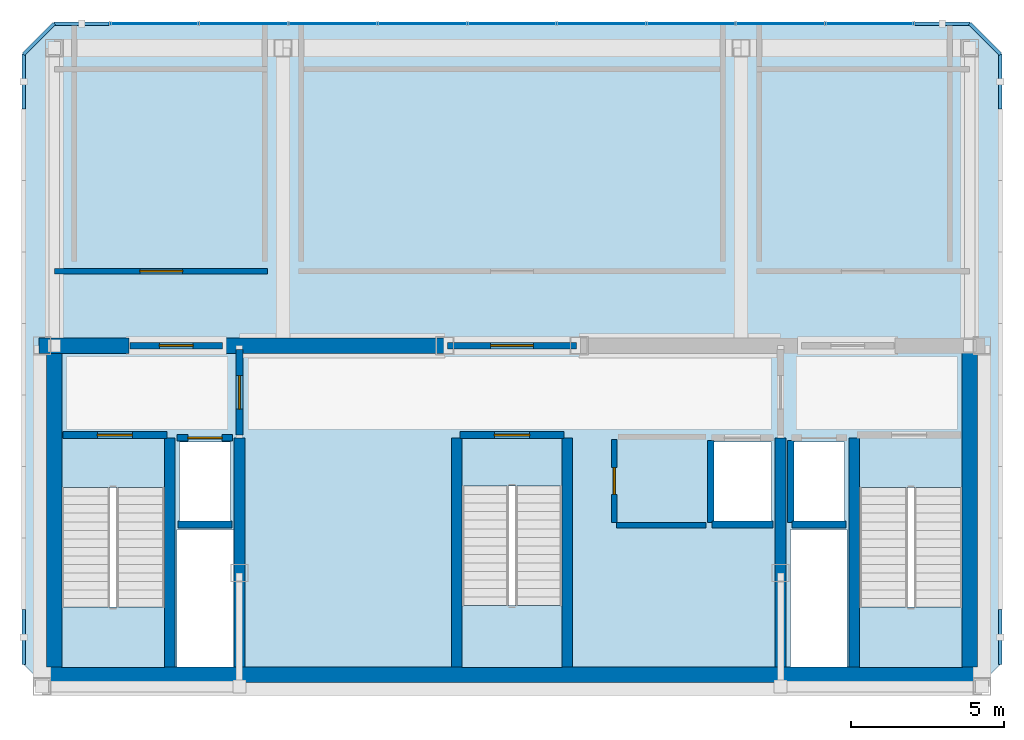
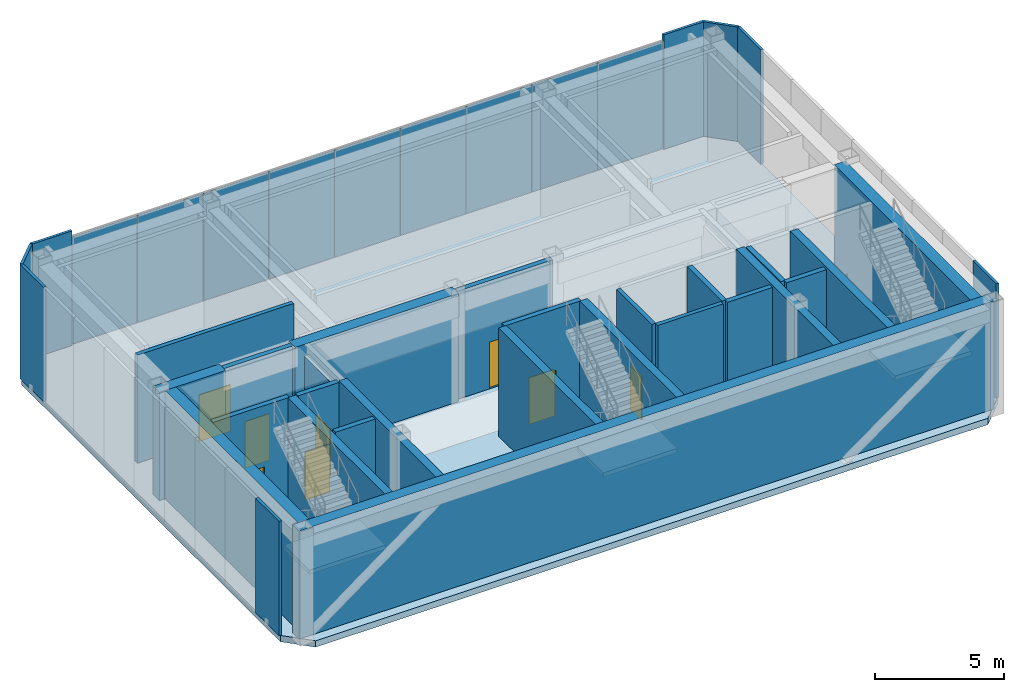
# One storey, part 7 of 9: 25 walls, 17 plates, 8 doors, 4 slabs, 8 openings, 4 elements without a shape of their own.
"""IFC4 building model written with IfcOpenShell, lengths in metres."""

from ifc_helpers import new_model, si_unit, direction, frame, frame_2d, origin, origin_2d, place, context, subcontext, project, spatial, polyline, rectangle, outline, extrude, material, layer, layer_set, type_object, element, fill, aggregate, save


model = new_model("IFC4")

# Units and contexts
model_context = context("Model", 3, precision=1e-05, world=origin(), true_north=direction((0.0, 1.0)))
body_context = subcontext(model_context, "Body", "Model", "MODEL_VIEW")
ifc_project = project(units=[si_unit("LENGTHUNIT", "METRE"), si_unit("AREAUNIT", "SQUARE_METRE"), si_unit("VOLUMEUNIT", "CUBIC_METRE"), si_unit("PLANEANGLEUNIT", "RADIAN"), si_unit("MASSUNIT", "GRAM", prefix="KILO")], contexts=[model_context])

# Site, building, storey
site_placement = place(None, origin())
site = spatial("IfcSite", under=ifc_project, at=site_placement, CompositionType="ELEMENT")
building_placement = place(site_placement, origin())
building = spatial("IfcBuilding", under=site, at=building_placement, Name="Ventersveld Concourse Tower", CompositionType="ELEMENT")
storey_placement = place(building_placement, frame((0.0, 0.0, 372.050048828125)))
storey = spatial("IfcBuildingStorey", under=building, at=storey_placement, Name="L91", CompositionType="ELEMENT", Elevation=372.050048828125)

# Curtain wall, plates
ifc_material_1 = material(Name="Anodised aluminium EN AW-6063-T6", Category="aluminium")
curtain_wall_type = type_object("IfcCurtainWallType", Name="CW-CRN-6", PredefinedType="NOTDEFINED", material=ifc_material_1)
curtain_wall_placement = place(storey_placement, origin())
curtain_wall = element("IfcCurtainWall", 1, at=curtain_wall_placement, inside=storey, type_object=curtain_wall_type, Name="L91 L91 Crown North Glazed Curtain Wall", PredefinedType="NOTDEFINED")
ifc_material_2 = material(Name="Low-E double glazing IGU", Category="glass")
ifc_layer_1 = layer(ifc_material_2, 0.02392578125)
ifc_layer_set_1 = layer_set([ifc_layer_1], Name="Low-E double glazing IGU")
plate_type_1 = type_object("IfcPlateType", Name="CWP-GLZ-24", PredefinedType="CURTAIN_PANEL", material=ifc_layer_set_1)
plate_1_placement = place(storey_placement, frame((40.4833984375, 22.0, 0.02001953125), z_axis=(0.0, 0.0, 1.0), x_axis=(-1.0, 0.0, 0.0)))
plate_1 = element("IfcPlate", 2, at=plate_1_placement, type_object=plate_type_1, Name="CW-L91-N Glazed Panel 01-1", PredefinedType="CURTAIN_PANEL", context=body_context, shape_type="SweptSolid", body=[
    extrude(rectangle(XDim=2.92333984375, YDim=0.02392578125, at=origin_2d()), origin(), (0.0, 0.0, 1.0), 5.06005859375),
])
plate_2_placement = place(storey_placement, frame((37.550048828125, 22.0, 0.02001953125), z_axis=(0.0, 0.0, 1.0), x_axis=(-1.0, 0.0, 0.0)))
plate_2 = element("IfcPlate", 3, at=plate_2_placement, type_object=plate_type_1, Name="CW-L91-N Glazed Panel 02-1", PredefinedType="CURTAIN_PANEL", context=body_context, shape_type="SweptSolid", body=[
    extrude(rectangle(XDim=2.92333984375, YDim=0.02392578125, at=origin_2d()), origin(), (0.0, 0.0, 1.0), 5.06005859375),
])
plate_3_placement = place(storey_placement, frame((34.61669921875, 22.0, 0.02001953125), z_axis=(0.0, 0.0, 1.0), x_axis=(-1.0, 0.0, 0.0)))
plate_3 = element("IfcPlate", 4, at=plate_3_placement, type_object=plate_type_1, Name="CW-L91-N Glazed Panel 03-1", PredefinedType="CURTAIN_PANEL", context=body_context, shape_type="SweptSolid", body=[
    extrude(rectangle(XDim=2.92333984375, YDim=0.02392578125, at=origin_2d()), origin(), (0.0, 0.0, 1.0), 5.06005859375),
])
plate_4_placement = place(storey_placement, frame((31.683349609375, 22.0, 0.02001953125), z_axis=(0.0, 0.0, 1.0), x_axis=(-1.0, 0.0, 0.0)))
plate_4 = element("IfcPlate", 5, at=plate_4_placement, type_object=plate_type_1, Name="CW-L91-N Glazed Panel 04-1", PredefinedType="CURTAIN_PANEL", context=body_context, shape_type="SweptSolid", body=[
    extrude(rectangle(XDim=2.92333984375, YDim=0.02392578125, at=origin_2d()), origin(), (0.0, 0.0, 1.0), 5.06005859375),
])
plate_5_placement = place(storey_placement, frame((28.75, 22.0, 0.02001953125), z_axis=(0.0, 0.0, 1.0), x_axis=(-1.0, 0.0, 0.0)))
plate_5 = element("IfcPlate", 6, at=plate_5_placement, type_object=plate_type_1, Name="CW-L91-N Glazed Panel 05-1", PredefinedType="CURTAIN_PANEL", context=body_context, shape_type="SweptSolid", body=[
    extrude(rectangle(XDim=2.92333984375, YDim=0.02392578125, at=origin_2d()), origin(), (0.0, 0.0, 1.0), 5.06005859375),
])
plate_6_placement = place(storey_placement, frame((25.816650390625, 22.0, 0.02001953125), z_axis=(0.0, 0.0, 1.0), x_axis=(-1.0, 0.0, 0.0)))
plate_6 = element("IfcPlate", 7, at=plate_6_placement, type_object=plate_type_1, Name="CW-L91-N Glazed Panel 06-1", PredefinedType="CURTAIN_PANEL", context=body_context, shape_type="SweptSolid", body=[
    extrude(rectangle(XDim=2.92333984375, YDim=0.02392578125, at=origin_2d()), origin(), (0.0, 0.0, 1.0), 5.06005859375),
])
plate_7_placement = place(storey_placement, frame((22.88330078125, 22.0, 0.02001953125), z_axis=(0.0, 0.0, 1.0), x_axis=(-1.0, 0.0, 0.0)))
plate_7 = element("IfcPlate", 8, at=plate_7_placement, type_object=plate_type_1, Name="CW-L91-N Glazed Panel 07-1", PredefinedType="CURTAIN_PANEL", context=body_context, shape_type="SweptSolid", body=[
    extrude(rectangle(XDim=2.92333984375, YDim=0.02392578125, at=origin_2d()), origin(), (0.0, 0.0, 1.0), 5.06005859375),
])
plate_8_placement = place(storey_placement, frame((19.949951171875, 22.0, 0.02001953125), z_axis=(0.0, 0.0, 1.0), x_axis=(-1.0, 0.0, 0.0)))
plate_8 = element("IfcPlate", 9, at=plate_8_placement, type_object=plate_type_1, Name="CW-L91-N Glazed Panel 08-1", PredefinedType="CURTAIN_PANEL", context=body_context, shape_type="SweptSolid", body=[
    extrude(rectangle(XDim=2.92333984375, YDim=0.02392578125, at=origin_2d()), origin(), (0.0, 0.0, 1.0), 5.06005859375),
])
plate_9_placement = place(storey_placement, frame((17.0166015625, 22.0, 0.02001953125), z_axis=(0.0, 0.0, 1.0), x_axis=(-1.0, 0.0, 0.0)))
plate_9 = element("IfcPlate", 10, at=plate_9_placement, type_object=plate_type_1, Name="CW-L91-N Glazed Panel 09-1", PredefinedType="CURTAIN_PANEL", context=body_context, shape_type="SweptSolid", body=[
    extrude(rectangle(XDim=2.92333984375, YDim=0.02392578125, at=origin_2d()), origin(), (0.0, 0.0, 1.0), 5.06005859375),
])
aggregate(curtain_wall, [plate_1, plate_2, plate_3, plate_4, plate_5, plate_6, plate_7, plate_8, plate_9])

# Plates
ifc_material_3 = material(Name="Precast concrete C45/55", Category="concrete")
ifc_layer_2 = layer(ifc_material_3, 0.1201171875)
ifc_layer_set_2 = layer_set([ifc_layer_2], Name="Precast concrete C45/55")
plate_type_2 = type_object("IfcPlateType", Name="PL-CLAD-120", PredefinedType="SHEET", material=ifc_layer_set_2)
for number, where, z_axis, x_axis, name in (
    (11, (44.75, 1.89990234375, 0.0), (0.0, 0.0, 1.0), (0.0, 1.0, 0.0), "L91 Crown Precast Pier Cladding E3-P1"),
    (12, (44.75, 20.10009765625, 0.0), (0.0, 0.0, 1.0), (0.0, 1.0, 0.0), "L91 Crown Precast Pier Cladding E3-P2"),
):
    element("IfcPlate", number, at=place(storey_placement, frame(where, z_axis=z_axis, x_axis=x_axis)), inside=storey, type_object=plate_type_2, Name=name, PredefinedType="SHEET", context=body_context, shape_type="SweptSolid", body=[
        extrude(rectangle(XDim=1.800048828125, YDim=0.1201171875, at=origin_2d()), origin(), (0.0, 0.0, 1.0), 5.39990234375),
    ])
plate_10_placement = place(storey_placement, frame((44.25, 21.5, 0.0), z_axis=(0.0, 0.0, 1.0), x_axis=(-0.707106781187, 0.707106781187, 0.0)))
element("IfcPlate", 13, at=plate_10_placement, inside=storey, type_object=plate_type_2, Name="L91 Crown Chamfer Precast Cladding Sheet E4", PredefinedType="SHEET", context=body_context, shape_type="SweptSolid", body=[
    extrude(rectangle(XDim=1.414306640625, YDim=0.1201171875, at=origin_2d()), origin(), (0.0, 0.0, 1.0), 5.39990234375),
])
for number, where, z_axis, x_axis, name in (
    (14, (42.85009765625, 22.0, 0.0), (0.0, 0.0, 1.0), (-1.0, 0.0, 0.0), "L91 Crown Precast Pier Cladding E5-P1"),
    (15, (14.64990234375, 22.0, 0.0), (0.0, 0.0, 1.0), (-1.0, 0.0, 0.0), "L91 Crown Precast Pier Cladding E5-P2"),
):
    element("IfcPlate", number, at=place(storey_placement, frame(where, z_axis=z_axis, x_axis=x_axis)), inside=storey, type_object=plate_type_2, Name=name, PredefinedType="SHEET", context=body_context, shape_type="SweptSolid", body=[
        extrude(rectangle(XDim=1.800048828125, YDim=0.1201171875, at=origin_2d()), origin(), (0.0, 0.0, 1.0), 5.39990234375),
    ])
plate_11_placement = place(storey_placement, frame((13.25, 21.5, 0.0), z_axis=(0.0, 0.0, 1.0), x_axis=(-0.707106781187, -0.707106781187, 0.0)))
element("IfcPlate", 16, at=plate_11_placement, inside=storey, type_object=plate_type_2, Name="L91 Crown Chamfer Precast Cladding Sheet E6", PredefinedType="SHEET", context=body_context, shape_type="SweptSolid", body=[
    extrude(rectangle(XDim=1.414306640625, YDim=0.1201171875, at=origin_2d()), origin(), (0.0, 0.0, 1.0), 5.39990234375),
])
for number, where, z_axis, x_axis, name in (
    (17, (12.75, 20.10009765625, 0.0), (0.0, 0.0, 1.0), (0.0, -1.0, 0.0), "L91 Crown Precast Pier Cladding E7-P1"),
    (18, (12.75, 1.89990234375, 0.0), (0.0, 0.0, 1.0), (0.0, -1.0, 0.0), "L91 Crown Precast Pier Cladding E7-P2"),
):
    element("IfcPlate", number, at=place(storey_placement, frame(where, z_axis=z_axis, x_axis=x_axis)), inside=storey, type_object=plate_type_2, Name=name, PredefinedType="SHEET", context=body_context, shape_type="SweptSolid", body=[
        extrude(rectangle(XDim=1.800048828125, YDim=0.1201171875, at=origin_2d()), origin(), (0.0, 0.0, 1.0), 5.39990234375),
    ])

# Slab
ifc_material_4 = material(Name="Concrete C50/60", Category="concrete")
ifc_layer_3 = layer(ifc_material_4, 0.300048828125)
ifc_layer_set_3 = layer_set([ifc_layer_3], Name="Concrete C50/60")
slab_type_1 = type_object("IfcSlabType", Name="SL-FLR-300", PredefinedType="FLOOR", material=ifc_layer_set_3)
slab_1_placement = place(storey_placement, frame((0.0, 0.0, -0.300048828125)))
element("IfcSlab", 19, at=slab_1_placement, inside=storey, type_object=slab_type_1, Name="L91 Composite Floor Slab", PredefinedType="FLOOR", context=body_context, shape_type="SweptSolid", body=[
    extrude(outline(polyline([(13.75, 0.0), (43.75, 0.0), (44.75, 1.0), (44.75, 21.0), (43.75, 22.0), (13.75, 22.0), (12.75, 21.0), (12.75, 1.0), (13.75, 0.0)]), holes=[polyline([(13.97998046875, 6.794921875), (13.97998046875, 0.89990234375), (17.3798828125, 0.89990234375), (17.3798828125, 6.794921875), (13.97998046875, 6.794921875)]), polyline([(40.1201171875, 6.794921875), (40.1201171875, 0.89990234375), (43.52001953125, 0.89990234375), (43.52001953125, 6.794921875), (40.1201171875, 6.794921875)]), polyline([(27.10009765625, 6.844970703125), (27.10009765625, 0.89990234375), (30.39990234375, 0.89990234375), (30.39990234375, 6.844970703125), (27.10009765625, 6.844970703125)]), polyline([(17.85009765625, 5.699951171875), (19.530029296875, 5.699951171875), (19.530029296875, 8.300048828125), (17.85009765625, 8.300048828125), (17.85009765625, 5.699951171875)]), polyline([(37.969970703125, 5.699951171875), (39.64990234375, 5.699951171875), (39.64990234375, 8.300048828125), (37.969970703125, 8.300048828125), (37.969970703125, 5.699951171875)]), polyline([(35.35009765625, 5.699951171875), (37.25, 5.699951171875), (37.25, 8.300048828125), (35.35009765625, 8.300048828125), (35.35009765625, 5.699951171875)]), polyline([(17.780029296875, 0.919921875), (19.6201171875, 0.919921875), (19.6201171875, 5.419921875), (17.780029296875, 5.419921875), (17.780029296875, 0.919921875)]), polyline([(37.8798828125, 0.919921875), (39.719970703125, 0.919921875), (39.719970703125, 5.419921875), (37.8798828125, 5.419921875), (37.8798828125, 0.919921875)])]), origin(), (0.0, 0.0, 1.0), 0.300048828125),
])

# Stair, slab
stair_type_1 = type_object("IfcStairType", Name="ST-DOG-160", PredefinedType="HALF_TURN_STAIR", material=ifc_material_4)
stair_1_placement = place(storey_placement, origin())
stair_1 = element("IfcStair", 20, at=stair_1_placement, inside=storey, type_object=stair_type_1, Name="L91 Protected Tower Escape Stair ST-01", PredefinedType="HALF_TURN_STAIR")
ifc_layer_4 = layer(ifc_material_4, 0.199951171875)
ifc_layer_set_4 = layer_set([ifc_layer_4], Name="Concrete C50/60")
slab_type_2 = type_object("IfcSlabType", Name="SL-LND-200", PredefinedType="LANDING", material=ifc_layer_set_4)
slab_2_placement = place(storey_placement, frame((0.0, 0.0, 2.5)))
slab_2 = element("IfcSlab", 21, at=slab_2_placement, type_object=slab_type_2, Name="ST-01 landing 1", PredefinedType="LANDING", context=body_context, shape_type="SweptSolid", body=[
    extrude(outline(polyline([(13.97998046875, 2.8798828125), (13.97998046875, 0.89990234375), (17.3798828125, 0.89990234375), (17.3798828125, 2.8798828125), (13.97998046875, 2.8798828125)])), origin(), (0.0, 0.0, 1.0), 0.199951171875),
])
aggregate(stair_1, [slab_2])

stair_2_placement = place(storey_placement, origin())
stair_2 = element("IfcStair", 22, at=stair_2_placement, inside=storey, type_object=stair_type_1, Name="L91 Protected Tower Escape Stair ST-02", PredefinedType="HALF_TURN_STAIR")
slab_3_placement = place(storey_placement, frame((0.0, 0.0, 2.5)))
slab_3 = element("IfcSlab", 23, at=slab_3_placement, type_object=slab_type_2, Name="ST-02 landing 1", PredefinedType="LANDING", context=body_context, shape_type="SweptSolid", body=[
    extrude(outline(polyline([(40.1201171875, 2.8798828125), (40.1201171875, 0.89990234375), (43.52001953125, 0.89990234375), (43.52001953125, 2.8798828125), (40.1201171875, 2.8798828125)])), origin(), (0.0, 0.0, 1.0), 0.199951171875),
])
aggregate(stair_2, [slab_3])

stair_type_2 = type_object("IfcStairType", Name="ST-DOG-155", PredefinedType="HALF_TURN_STAIR", material=ifc_material_4)
stair_3_placement = place(storey_placement, origin())
stair_3 = element("IfcStair", 24, at=stair_3_placement, inside=storey, type_object=stair_type_2, Name="L91 Protected Central Core Escape Stair ST-03", PredefinedType="HALF_TURN_STAIR")
slab_4_placement = place(storey_placement, frame((0.0, 0.0, 2.5)))
slab_4 = element("IfcSlab", 25, at=slab_4_placement, type_object=slab_type_2, Name="ST-03 landing 1", PredefinedType="LANDING", context=body_context, shape_type="SweptSolid", body=[
    extrude(outline(polyline([(27.10009765625, 2.929931640625), (27.10009765625, 0.89990234375), (30.39990234375, 0.89990234375), (30.39990234375, 2.929931640625), (27.10009765625, 2.929931640625)])), origin(), (0.0, 0.0, 1.0), 0.199951171875),
])
aggregate(stair_3, [slab_4])

# Walls
ifc_layer_5 = layer(ifc_material_4, 0.35009765625)
ifc_layer_set_5 = layer_set([ifc_layer_5], Name="Concrete C50/60")
wall_type_1 = type_object("IfcWallType", Name="WL-CORE-350U", PredefinedType="SHEAR", material=ifc_layer_set_5)
for number, where, z_axis, x_axis, name in (
    (26, (17.5400390625, 0.919921875, 0.0), (0.0, 0.0, 1.0), (0.0, 1.0, 0.0), "L91 Core Internal Shear Web W-ST1-E"),
    (27, (19.820068359375, 0.919921875, 0.0), (0.0, 0.0, 1.0), (0.0, 1.0, 0.0), "L91 Core Internal Shear Web W-FF1-E"),
    (28, (26.93994140625, 0.919921875, 0.0), (0.0, 0.0, 1.0), (0.0, 1.0, 0.0), "L91 Core Internal Shear Web W-ST3-W"),
    (29, (30.56005859375, 0.919921875, 0.0), (0.0, 0.0, 1.0), (0.0, 1.0, 0.0), "L91 Core Internal Shear Web W-ST3-E"),
    (30, (37.550048828125, 0.919921875, 0.0), (0.0, 0.0, 1.0), (0.0, 1.0, 0.0), "L91 Core Internal Shear Web W-SVL-W"),
    (31, (39.9599609375, 0.919921875, 0.0), (0.0, 0.0, 1.0), (0.0, 1.0, 0.0), "L91 Core Internal Shear Web W-ST2-W"),
):
    element("IfcWall", number, at=place(storey_placement, frame(where, z_axis=z_axis, x_axis=x_axis)), inside=storey, type_object=wall_type_1, Name=name, PredefinedType="SHEAR", context=body_context, shape_type="SweptSolid", body=[
        extrude(rectangle(XDim=7.5, YDim=0.35009765625, at=frame_2d((3.75, 0.0))), origin(), (0.0, 0.0, 1.0), 5.099853515625),
    ])
ifc_layer_6 = layer(ifc_material_4, 0.5)
ifc_layer_set_6 = layer_set([ifc_layer_6], Name="Concrete C50/60")
wall_type_2 = type_object("IfcWallType", Name="WL-CORE-500", PredefinedType="SHEAR", material=ifc_layer_set_6)
wall_1_placement = place(storey_placement, frame((13.25, 0.669921875, 0.0), z_axis=(0.0, 0.0, 1.0), x_axis=(1.0, 0.0, 0.0)))
element("IfcWall", 32, at=wall_1_placement, inside=storey, type_object=wall_type_2, Name="L91 Rear Core South Shear Wall", PredefinedType="SHEAR", context=body_context, shape_type="SweptSolid", body=[
    extrude(rectangle(XDim=31.0, YDim=0.5, at=frame_2d((15.5, 0.0))), origin(), (0.0, 0.0, 1.0), 5.099853515625),
])
for number, where, z_axis, x_axis, name in (
    (33, (13.75, 0.919921875, 0.0), (0.0, 0.0, 1.0), (0.0, 1.0, 0.0), "L91 Rear Core West Shear Wall"),
    (34, (43.75, 0.919921875, 0.0), (0.0, 0.0, 1.0), (0.0, 1.0, 0.0), "L91 Rear Core East Shear Wall"),
):
    element("IfcWall", number, at=place(storey_placement, frame(where, z_axis=z_axis, x_axis=x_axis)), inside=storey, type_object=wall_type_2, Name=name, PredefinedType="SHEAR", context=body_context, shape_type="SweptSolid", body=[
        extrude(rectangle(XDim=10.530029296875, YDim=0.5, at=frame_2d((5.26513671875, 0.0))), origin(), (0.0, 0.0, 1.0), 5.099853515625),
    ])
wall_2_placement = place(storey_placement, frame((13.25, 11.449951171875, 0.0), z_axis=(0.0, 0.0, 1.0), x_axis=(1.0, 0.0, 0.0)))
element("IfcWall", 35, at=wall_2_placement, inside=storey, type_object=wall_type_2, Name="L91 Rear Core North Shear Wall NW", PredefinedType="SHEAR", context=body_context, shape_type="SweptSolid", body=[
    extrude(rectangle(XDim=2.949951171875, YDim=0.5, at=frame_2d((1.47509765625, 0.0))), origin(), (0.0, 0.0, 1.0), 5.099853515625),
])
wall_3_placement = place(storey_placement, frame((19.300048828125, 11.449951171875, 0.0), z_axis=(0.0, 0.0, 1.0), x_axis=(1.0, 0.0, 0.0)))
element("IfcWall", 36, at=wall_3_placement, inside=storey, type_object=wall_type_2, Name="L91 Rear Core North Shear Wall NML", PredefinedType="SHEAR", context=body_context, shape_type="SweptSolid", body=[
    extrude(rectangle(XDim=7.300048828125, YDim=0.5, at=frame_2d((3.64990234375, 0.0))), origin(), (0.0, 0.0, 1.0), 5.099853515625),
])

# Wall, opening, door
ifc_material_5 = material(Name="Fire-rated autoclaved aerated masonry blockwork", Category="masonry")
ifc_layer_7 = layer(ifc_material_5, 0.179931640625)
ifc_layer_set_7 = layer_set([ifc_layer_7], Name="Fire-rated autoclaved aerated masonry blockwork")
wall_type_3 = type_object("IfcWallType", Name="WL-CORR-180", PredefinedType="PARTITIONING", material=ifc_layer_set_7)
wall_4_placement = place(storey_placement, frame((32.10009765625, 5.64990234375, 0.0), z_axis=(0.0, 0.0, 1.0), x_axis=(0.0, 1.0, 0.0)))
wall_4 = element("IfcWall", 37, at=wall_4_placement, inside=storey, type_object=wall_type_3, Name="L91 Core Passage Wall SP-L91-CBAY1", PredefinedType="PARTITIONING", context=body_context, shape_type="SweptSolid", body=[
    extrude(rectangle(XDim=2.72998046875, YDim=0.179931640625, at=frame_2d((1.364990234375, 0.0))), origin(), (0.0, 0.0, 1.0), 5.099853515625),
])
opening_1_placement = place(wall_4_placement, frame((0.925048828125, 0.0, 0.0)))
opening_1 = element("IfcOpeningElement", 38, at=opening_1_placement, cuts=wall_4, Name="Opening FD5", PredefinedType="OPENING", context=body_context, shape_type="SweptSolid", body=[
    extrude(rectangle(XDim=0.8798828125, YDim=2.050048828125, at=frame_2d((0.43994140625, 1.02490234375))), frame((0.0, 0.10009765625, 0.0), z_axis=(0.0, -1.0, 0.0), x_axis=(1.0, 0.0, 0.0)), (0.0, 0.0, 1.0), 0.199951171875),
])
ifc_material_6 = material(Name="Galvanised painted steel", Category="steel")
door_type_1 = type_object("IfcDoorType", Name="DR-RISER-088", OperationType="NOTDEFINED", PredefinedType="DOOR", material=ifc_material_6)
door_1_placement = place(opening_1_placement, origin())
door_1 = element("IfcDoor", 39, at=door_1_placement, inside=storey, type_object=door_type_1, Name="L91 Core Room Door L91 Core Housekeeping Linen Store (CD-L91-3978)", OperationType="SINGLE_SWING_LEFT", OverallHeight=2.050048828125, OverallWidth=0.8798828125, PredefinedType="DOOR", context=body_context, shape_type="SweptSolid", body=[
    extrude(rectangle(XDim=0.8798828125, YDim=2.050048828125, at=frame_2d((0.43994140625, 1.02490234375))), frame((0.0, 0.02490234375, 0.0), z_axis=(0.0, -1.0, 0.0), x_axis=(1.0, 0.0, 0.0)), (0.0, 0.0, 1.0), 0.050048828125),
])
fill(opening_1, door_1)

# Wall
wall_5_placement = place(storey_placement, frame((32.179931640625, 5.570068359375, 0.0), z_axis=(0.0, 0.0, 1.0), x_axis=(1.0, 0.0, 0.0)))
element("IfcWall", 40, at=wall_5_placement, inside=storey, type_object=wall_type_3, Name="L91 Core Bot Wall SP-L91-CBAY1", PredefinedType="PARTITIONING", context=body_context, shape_type="SweptSolid", body=[
    extrude(rectangle(XDim=2.920166015625, YDim=0.179931640625, at=frame_2d((1.4599609375, 0.0))), origin(), (0.0, 0.0, 1.0), 5.099853515625),
])

# Wall, opening, door
wall_6_placement = place(storey_placement, frame((13.76806640625, 13.889892578125, 0.0), z_axis=(0.0, 0.0, 1.0), x_axis=(1.0, 0.0, 0.0)))
wall_6 = element("IfcWall", 41, at=wall_6_placement, inside=storey, type_object=wall_type_3, Name="L91 Interior Partition SP-L91-PCOR-SP-L91-CHL", PredefinedType="PARTITIONING", context=body_context, shape_type="SweptSolid", body=[
    extrude(rectangle(XDim=6.97705078125, YDim=0.179931640625, at=frame_2d((3.488525390625, 0.0))), origin(), (0.0, 0.0, 1.0), 5.099853515625),
])
opening_2_placement = place(wall_6_placement, frame((2.78857421875, 0.0, 0.0)))
opening_2 = element("IfcOpeningElement", 42, at=opening_2_placement, cuts=wall_6, Name="Opening FD4", PredefinedType="OPENING", context=body_context, shape_type="SweptSolid", body=[
    extrude(rectangle(XDim=1.39990234375, YDim=2.199951171875, at=frame_2d((0.699951171875, 1.10009765625))), frame((0.0, 0.10009765625, 0.0), z_axis=(0.0, -1.0, 0.0), x_axis=(1.0, 0.0, 0.0)), (0.0, 0.0, 1.0), 0.199951171875),
])
door_type_2 = type_object("IfcDoorType", Name="DR-PLANT-140", OperationType="DOUBLE_DOOR_SINGLE_SWING", PredefinedType="DOOR", material=ifc_material_6)
door_2_placement = place(opening_2_placement, origin())
door_2 = element("IfcDoor", 43, at=door_2_placement, inside=storey, type_object=door_type_2, Name="L91 Interior Door SP-L91-PCOR to SP-L91-CHL (FD-L91-3979)", OperationType="DOUBLE_DOOR_SINGLE_SWING", OverallHeight=2.199951171875, OverallWidth=1.39990234375, PredefinedType="DOOR", context=body_context, shape_type="SweptSolid", body=[
    extrude(rectangle(XDim=1.39990234375, YDim=2.199951171875, at=frame_2d((0.699951171875, 1.10009765625))), frame((0.0, 0.02490234375, 0.0), z_axis=(0.0, -1.0, 0.0), x_axis=(1.0, 0.0, 0.0)), (0.0, 0.0, 1.0), 0.050048828125),
])
fill(opening_2, door_2)

# Wall
ifc_layer_8 = layer(ifc_material_5, 0.219970703125)
ifc_layer_set_8 = layer_set([ifc_layer_8], Name="Fire-rated autoclaved aerated masonry blockwork")
wall_type_4 = type_object("IfcWallType", Name="WL-HOIST-220", PredefinedType="SOLIDWALL", material=ifc_layer_set_8)
wall_7_placement = place(storey_placement, frame((17.800048828125, 5.590087890625, 0.0), z_axis=(0.0, 0.0, 1.0), x_axis=(1.0, 0.0, 0.0)))
element("IfcWall", 44, at=wall_7_placement, inside=storey, type_object=wall_type_4, Name="L91 Lift Hoistway Back Wall FFL-01", PredefinedType="SOLIDWALL", context=body_context, shape_type="SweptSolid", body=[
    extrude(rectangle(XDim=1.780029296875, YDim=0.219970703125, at=frame_2d((0.89013671875, 0.0))), origin(), (0.0, 0.0, 1.0), 5.099853515625),
])

# Wall, opening, door
wall_8_placement = place(storey_placement, frame((17.780029296875, 8.429931640625, 0.0), z_axis=(0.0, 0.0, 1.0), x_axis=(1.0, 0.0, 0.0)))
wall_8 = element("IfcWall", 45, at=wall_8_placement, inside=storey, type_object=wall_type_4, Name="L91 Lift Hoistway Front Wall FFL-01", PredefinedType="SOLIDWALL", context=body_context, shape_type="SweptSolid", body=[
    extrude(rectangle(XDim=1.820068359375, YDim=0.219970703125, at=frame_2d((0.91015625, 0.0))), origin(), (0.0, 0.0, 1.0), 5.099853515625),
])
opening_3_placement = place(wall_8_placement, frame((0.35009765625, 0.0, 0.0)))
opening_3 = element("IfcOpeningElement", 46, at=opening_3_placement, cuts=wall_8, Name="Opening LD1", PredefinedType="OPENING", context=body_context, shape_type="SweptSolid", body=[
    extrude(rectangle(XDim=1.1201171875, YDim=2.25, at=frame_2d((0.56005859375, 1.125))), frame((0.0, 0.1201171875, 0.0), z_axis=(0.0, -1.0, 0.0), x_axis=(1.0, 0.0, 0.0)), (0.0, 0.0, 1.0), 0.239990234375),
])
ifc_material_7 = material(Name="Brushed stainless steel 316", Category="steel")
door_type_3 = type_object("IfcDoorType", Name="LD-FF-112", OperationType="SLIDING_TO_LEFT", PredefinedType="DOOR", material=ifc_material_7)
door_3_placement = place(opening_3_placement, origin())
door_3 = element("IfcDoor", 47, at=door_3_placement, inside=storey, type_object=door_type_3, Name="L91 Lift landing door FFL-01 (LD-L91-FFL-01)", OperationType="SLIDING_TO_LEFT", OverallHeight=2.25, OverallWidth=1.1201171875, PredefinedType="DOOR", context=body_context, shape_type="SweptSolid", body=[
    extrude(rectangle(XDim=1.1201171875, YDim=2.25, at=frame_2d((0.56005859375, 1.125))), frame((0.0, 0.02490234375, 0.0), z_axis=(0.0, -1.0, 0.0), x_axis=(1.0, 0.0, 0.0)), (0.0, 0.0, 1.0), 0.050048828125),
])
fill(opening_3, door_3)

# Walls
wall_9_placement = place(storey_placement, frame((37.919921875, 5.590087890625, 0.0), z_axis=(0.0, 0.0, 1.0), x_axis=(1.0, 0.0, 0.0)))
element("IfcWall", 48, at=wall_9_placement, inside=storey, type_object=wall_type_4, Name="L91 Lift Hoistway Back Wall FFL-02", PredefinedType="SOLIDWALL", context=body_context, shape_type="SweptSolid", body=[
    extrude(rectangle(XDim=1.780029296875, YDim=0.219970703125, at=frame_2d((0.89013671875, 0.0))), origin(), (0.0, 0.0, 1.0), 5.099853515625),
])
wall_10_placement = place(storey_placement, frame((37.8798828125, 5.64990234375, 0.0), z_axis=(0.0, 0.0, 1.0), x_axis=(0.0, 1.0, 0.0)))
element("IfcWall", 49, at=wall_10_placement, inside=storey, type_object=wall_type_4, Name="L91 Lift Hoistway Side Wall FFL-02W", PredefinedType="SOLIDWALL", context=body_context, shape_type="SweptSolid", body=[
    extrude(rectangle(XDim=2.7001953125, YDim=0.219970703125, at=frame_2d((1.35009765625, 0.0))), origin(), (0.0, 0.0, 1.0), 5.099853515625),
])
wall_11_placement = place(storey_placement, frame((35.300048828125, 5.590087890625, 0.0), z_axis=(0.0, 0.0, 1.0), x_axis=(1.0, 0.0, 0.0)))
element("IfcWall", 50, at=wall_11_placement, inside=storey, type_object=wall_type_4, Name="L91 Lift Hoistway Back Wall SVL-01", PredefinedType="SOLIDWALL", context=body_context, shape_type="SweptSolid", body=[
    extrude(rectangle(XDim=2.0, YDim=0.219970703125, at=frame_2d((1.0, 0.0))), origin(), (0.0, 0.0, 1.0), 5.099853515625),
])
wall_12_placement = place(storey_placement, frame((35.260009765625, 5.64990234375, 0.0), z_axis=(0.0, 0.0, 1.0), x_axis=(0.0, 1.0, 0.0)))
element("IfcWall", 51, at=wall_12_placement, inside=storey, type_object=wall_type_4, Name="L91 Lift Hoistway Side Wall SVL-01W", PredefinedType="SOLIDWALL", context=body_context, shape_type="SweptSolid", body=[
    extrude(rectangle(XDim=2.7001953125, YDim=0.219970703125, at=frame_2d((1.35009765625, 0.0))), origin(), (0.0, 0.0, 1.0), 5.099853515625),
])

# Wall, opening, door
wall_13_placement = place(storey_placement, frame((14.0400390625, 8.52001953125, 0.0), z_axis=(0.0, 0.0, 1.0), x_axis=(1.0, 0.0, 0.0)))
wall_13 = element("IfcWall", 52, at=wall_13_placement, inside=storey, type_object=wall_type_4, Name="L91 Escape Stair ST01 Fire Wall", PredefinedType="SOLIDWALL", context=body_context, shape_type="SweptSolid", body=[
    extrude(rectangle(XDim=3.39990234375, YDim=0.219970703125, at=frame_2d((1.699951171875, 0.0))), origin(), (0.0, 0.0, 1.0), 5.099853515625),
])
opening_4_placement = place(wall_13_placement, frame((1.125, 0.0, 0.0)))
opening_4 = element("IfcOpeningElement", 53, at=opening_4_placement, cuts=wall_13, Name="Opening FD1", PredefinedType="OPENING", context=body_context, shape_type="SweptSolid", body=[
    extrude(rectangle(XDim=1.14990234375, YDim=2.199951171875, at=frame_2d((0.574951171875, 1.10009765625))), frame((0.0, 0.1201171875, 0.0), z_axis=(0.0, -1.0, 0.0), x_axis=(1.0, 0.0, 0.0)), (0.0, 0.0, 1.0), 0.239990234375),
])
door_type_4 = type_object("IfcDoorType", Name="DR-STAIR-115", OperationType="NOTDEFINED", PredefinedType="DOOR", material=ifc_material_6)
door_4_placement = place(opening_4_placement, origin())
door_4 = element("IfcDoor", 54, at=door_4_placement, inside=storey, type_object=door_type_4, Name="L91 Escape Stair Door ST01 (SD-L91-3970)", OperationType="SINGLE_SWING_LEFT", OverallHeight=2.199951171875, OverallWidth=1.14990234375, PredefinedType="DOOR", context=body_context, shape_type="SweptSolid", body=[
    extrude(rectangle(XDim=1.14990234375, YDim=2.199951171875, at=frame_2d((0.574951171875, 1.10009765625))), frame((0.0, 0.02490234375, 0.0), z_axis=(0.0, -1.0, 0.0), x_axis=(1.0, 0.0, 0.0)), (0.0, 0.0, 1.0), 0.050048828125),
])
fill(opening_4, door_4)

wall_14_placement = place(storey_placement, frame((27.0400390625, 8.52001953125, 0.0), z_axis=(0.0, 0.0, 1.0), x_axis=(1.0, 0.0, 0.0)))
wall_14 = element("IfcWall", 55, at=wall_14_placement, inside=storey, type_object=wall_type_4, Name="L91 Escape Stair ST03 Fire Wall", PredefinedType="SOLIDWALL", context=body_context, shape_type="SweptSolid", body=[
    extrude(rectangle(XDim=3.419921875, YDim=0.219970703125, at=frame_2d((1.7099609375, 0.0))), origin(), (0.0, 0.0, 1.0), 5.099853515625),
])
opening_5_placement = place(wall_14_placement, frame((1.135009765625, 0.0, 0.0)))
opening_5 = element("IfcOpeningElement", 56, at=opening_5_placement, cuts=wall_14, Name="Opening FD1", PredefinedType="OPENING", context=body_context, shape_type="SweptSolid", body=[
    extrude(rectangle(XDim=1.14990234375, YDim=2.199951171875, at=frame_2d((0.574951171875, 1.10009765625))), frame((0.0, 0.1201171875, 0.0), z_axis=(0.0, -1.0, 0.0), x_axis=(1.0, 0.0, 0.0)), (0.0, 0.0, 1.0), 0.239990234375),
])
door_5_placement = place(opening_5_placement, origin())
door_5 = element("IfcDoor", 57, at=door_5_placement, inside=storey, type_object=door_type_4, Name="L91 Escape Stair Door ST03 (SD-L91-3972)", OperationType="SINGLE_SWING_LEFT", OverallHeight=2.199951171875, OverallWidth=1.14990234375, PredefinedType="DOOR", context=body_context, shape_type="SweptSolid", body=[
    extrude(rectangle(XDim=1.14990234375, YDim=2.199951171875, at=frame_2d((0.574951171875, 1.10009765625))), frame((0.0, 0.02490234375, 0.0), z_axis=(0.0, -1.0, 0.0), x_axis=(1.0, 0.0, 0.0)), (0.0, 0.0, 1.0), 0.050048828125),
])
fill(opening_5, door_5)

wall_15_placement = place(storey_placement, frame((19.820068359375, 8.52001953125, 0.0), z_axis=(0.0, 0.0, 1.0), x_axis=(0.0, 1.0, 0.0)))
wall_15 = element("IfcWall", 58, at=wall_15_placement, inside=storey, type_object=wall_type_4, Name="L91 Firefighting Lobby Smoke-Stop Wall FFLW-SEP", PredefinedType="SOLIDWALL", context=body_context, shape_type="SweptSolid", body=[
    extrude(rectangle(XDim=2.800048828125, YDim=0.219970703125, at=frame_2d((1.39990234375, 0.0))), origin(), (0.0, 0.0, 1.0), 4.555419921875),
])
opening_6_placement = place(wall_15_placement, frame((0.85009765625, 0.0, 0.0)))
opening_6 = element("IfcOpeningElement", 59, at=opening_6_placement, cuts=wall_15, Name="Opening FD2", PredefinedType="OPENING", context=body_context, shape_type="SweptSolid", body=[
    extrude(rectangle(XDim=1.10009765625, YDim=2.199951171875, at=frame_2d((0.550048828125, 1.10009765625))), frame((0.0, 0.1201171875, 0.0), z_axis=(0.0, -1.0, 0.0), x_axis=(1.0, 0.0, 0.0)), (0.0, 0.0, 1.0), 0.239990234375),
])
door_type_5 = type_object("IfcDoorType", Name="DR-FFL-110", OperationType="NOTDEFINED", PredefinedType="DOOR", material=ifc_material_6)
door_6_placement = place(opening_6_placement, origin())
door_6 = element("IfcDoor", 60, at=door_6_placement, inside=storey, type_object=door_type_5, Name="L91 Firefighting Lobby Door FFLW-SEP (FD-L91-3973)", OperationType="SINGLE_SWING_LEFT", OverallHeight=2.199951171875, OverallWidth=1.10009765625, PredefinedType="DOOR", context=body_context, shape_type="SweptSolid", body=[
    extrude(rectangle(XDim=1.10009765625, YDim=2.199951171875, at=frame_2d((0.550048828125, 1.10009765625))), frame((0.0, 0.02490234375, 0.0), z_axis=(0.0, -1.0, 0.0), x_axis=(1.0, 0.0, 0.0)), (0.0, 0.0, 1.0), 0.050048828125),
])
fill(opening_6, door_6)

wall_16_placement = place(storey_placement, frame((16.22998046875, 11.449951171875, 0.0), z_axis=(0.0, 0.0, 1.0), x_axis=(1.0, 0.0, 0.0)))
wall_16 = element("IfcWall", 61, at=wall_16_placement, inside=storey, type_object=wall_type_4, Name="L91 Core North Fire Portal FFLW-OUT", PredefinedType="SOLIDWALL", context=body_context, shape_type="SweptSolid", body=[
    extrude(rectangle(XDim=3.0400390625, YDim=0.219970703125, at=frame_2d((1.52001953125, 0.0))), origin(), (0.0, 0.0, 1.0), 5.099853515625),
])
opening_7_placement = place(wall_16_placement, frame((0.969970703125, 0.0, 0.0)))
opening_7 = element("IfcOpeningElement", 62, at=opening_7_placement, cuts=wall_16, Name="Opening FD2", PredefinedType="OPENING", context=body_context, shape_type="SweptSolid", body=[
    extrude(rectangle(XDim=1.10009765625, YDim=2.199951171875, at=frame_2d((0.550048828125, 1.10009765625))), frame((0.0, 0.1201171875, 0.0), z_axis=(0.0, -1.0, 0.0), x_axis=(1.0, 0.0, 0.0)), (0.0, 0.0, 1.0), 0.239990234375),
])
door_7_placement = place(opening_7_placement, origin())
door_7 = element("IfcDoor", 63, at=door_7_placement, inside=storey, type_object=door_type_5, Name="L91 Core Lobby Fire Door FFLW-OUT (FD-L91-3975)", OperationType="SINGLE_SWING_RIGHT", OverallHeight=2.199951171875, OverallWidth=1.10009765625, PredefinedType="DOOR", context=body_context, shape_type="SweptSolid", body=[
    extrude(rectangle(XDim=1.10009765625, YDim=2.199951171875, at=frame_2d((0.550048828125, 1.10009765625))), frame((0.0, 0.02490234375, 0.0), z_axis=(0.0, -1.0, 0.0), x_axis=(1.0, 0.0, 0.0)), (0.0, 0.0, 1.0), 0.050048828125),
])
fill(opening_7, door_7)

wall_17_placement = place(storey_placement, frame((26.6298828125, 11.449951171875, 0.0), z_axis=(0.0, 0.0, 1.0), x_axis=(1.0, 0.0, 0.0)))
wall_17 = element("IfcWall", 64, at=wall_17_placement, inside=storey, type_object=wall_type_4, Name="L91 Core North Fire Portal PLOB-OUT", PredefinedType="SOLIDWALL", context=body_context, shape_type="SweptSolid", body=[
    extrude(rectangle(XDim=4.240234375, YDim=0.219970703125, at=frame_2d((2.1201171875, 0.0))), origin(), (0.0, 0.0, 1.0), 5.099853515625),
])
opening_8_placement = place(wall_17_placement, frame((1.419921875, 0.0, 0.0)))
opening_8 = element("IfcOpeningElement", 65, at=opening_8_placement, cuts=wall_17, Name="Opening FD4", PredefinedType="OPENING", context=body_context, shape_type="SweptSolid", body=[
    extrude(rectangle(XDim=1.39990234375, YDim=2.199951171875, at=frame_2d((0.699951171875, 1.10009765625))), frame((0.0, 0.1201171875, 0.0), z_axis=(0.0, -1.0, 0.0), x_axis=(1.0, 0.0, 0.0)), (0.0, 0.0, 1.0), 0.239990234375),
])
door_8_placement = place(opening_8_placement, origin())
door_8 = element("IfcDoor", 66, at=door_8_placement, inside=storey, type_object=door_type_2, Name="L91 Core Lobby Fire Door PLOB-OUT (FD-L91-3976)", OperationType="DOUBLE_DOOR_SINGLE_SWING", OverallHeight=2.199951171875, OverallWidth=1.39990234375, PredefinedType="DOOR", context=body_context, shape_type="SweptSolid", body=[
    extrude(rectangle(XDim=1.39990234375, YDim=2.199951171875, at=frame_2d((0.699951171875, 1.10009765625))), frame((0.0, 0.02490234375, 0.0), z_axis=(0.0, -1.0, 0.0), x_axis=(1.0, 0.0, 0.0)), (0.0, 0.0, 1.0), 0.050048828125),
])
fill(opening_8, door_8)

save(model, "model.ifc")
